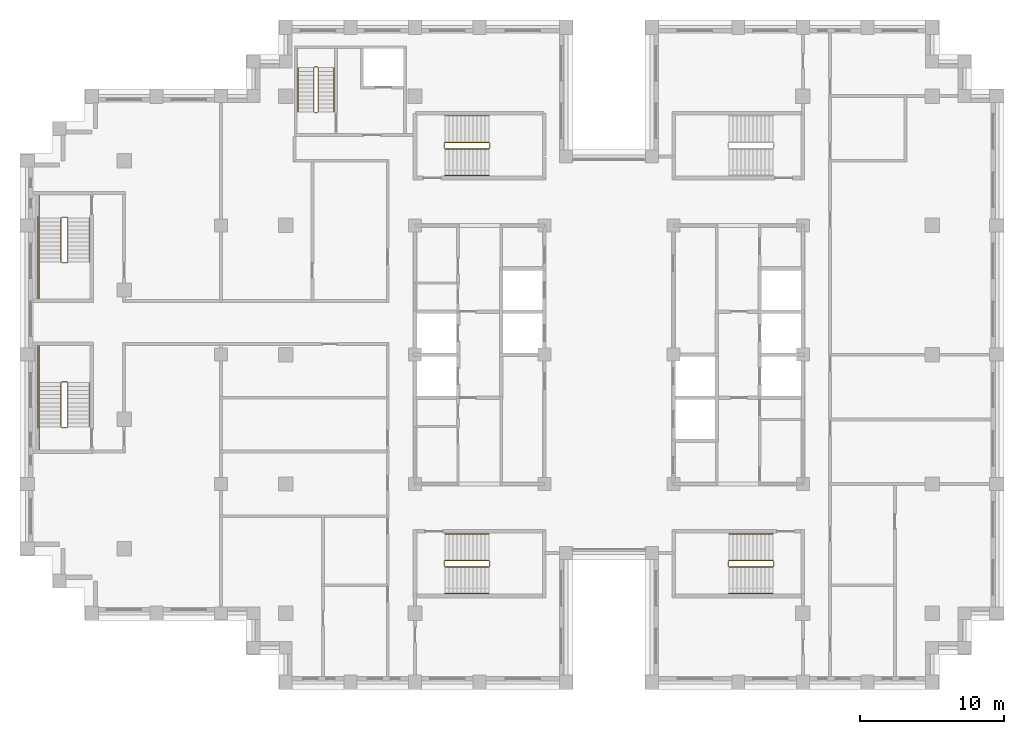
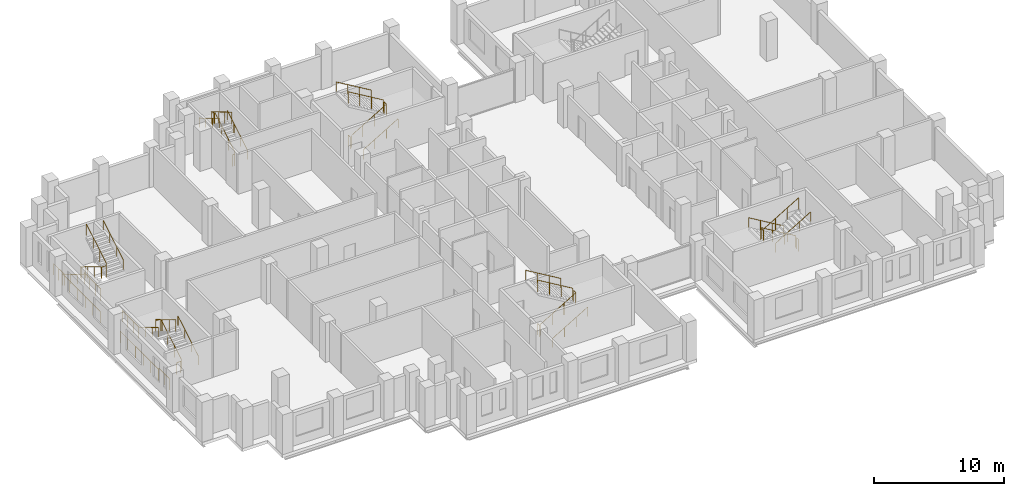
# One storey, part 14 of 15: 6 railings.
"""IFC4 building model written with IfcOpenShell, lengths in metres."""

from ifc_helpers import new_model, si_unit, direction, frame, origin, origin_2d, place, context, subcontext, project, spatial, circle, extrude, material, type_object, element, save


model = new_model("IFC4")

# Units and contexts
model_context = context("Model", 3, precision=1e-05, world=origin(), true_north=direction((0.0, 1.0)))
body_context = subcontext(model_context, "Body", "Model", "MODEL_VIEW")
ifc_project = project(units=[si_unit("LENGTHUNIT", "METRE"), si_unit("AREAUNIT", "SQUARE_METRE"), si_unit("VOLUMEUNIT", "CUBIC_METRE"), si_unit("PLANEANGLEUNIT", "RADIAN"), si_unit("MASSUNIT", "GRAM", prefix="KILO")], contexts=[model_context])

# Site, building, storey
site_placement = place(None, origin())
site = spatial("IfcSite", under=ifc_project, at=site_placement, CompositionType="ELEMENT")
building_placement = place(site_placement, origin())
building = spatial("IfcBuilding", under=site, at=building_placement, Name="Corbelhall Arena Tower", CompositionType="ELEMENT")
storey_placement = place(building_placement, frame((0.0, 0.0, 212.0)))
storey = spatial("IfcBuildingStorey", under=building, at=storey_placement, Name="L44", CompositionType="ELEMENT", Elevation=212.0)

# Railings
ifc_material = material(Name="Steel ASTM A500 Gr C", Category="steel")
railing_type = type_object("IfcRailingType", Name="IN-GD-1100", PredefinedType="GUARDRAIL", material=ifc_material)
railing_1_placement = place(storey_placement, frame((-11.425048828125, 14.324951171875, 0.166748046875)))
element("IfcRailing", 1, at=railing_1_placement, inside=storey, type_object=railing_type, Name="L44 ST1 stair guards and handrails", PredefinedType="GUARDRAIL", context=body_context, shape_type="SweptSolid", body=[
    extrude(circle(Radius=0.02392578125, at=origin_2d()), frame((0.0, 0.0, 1.076171875), z_axis=(0.859308565015, 0.0, 0.511457515432), x_axis=(0.0, 1.0, 0.0)), (0.0, 0.0, 1.0), 3.58447265625),
    extrude(circle(Radius=0.02392578125, at=origin_2d()), frame((3.130126953125, 0.050048828125, 2.9091796875), z_axis=(0.0, 1.0, 0.0), x_axis=(-1.0, 0.0, 0.0)), (0.0, 0.0, 1.0), 0.35009765625),
    extrude(circle(Radius=0.02392578125, at=origin_2d()), frame((3.080078125, 0.449951171875, 3.076171875), z_axis=(-0.859308565015, 0.0, 0.511457515432), x_axis=(0.0, -1.0, 0.0)), (0.0, 0.0, 1.0), 3.58447265625),
    extrude(circle(Radius=0.02392578125, at=origin_2d()), frame((-0.050048828125, 0.050048828125, 0.9091796875), z_axis=(0.0, 1.0, 0.0), x_axis=(-1.0, 0.0, 0.0)), (0.0, 0.0, 1.0), 0.35009765625),
    extrude(circle(Radius=0.02392578125, at=origin_2d()), frame((0.0, -1.849853515625, 0.8759765625), z_axis=(0.859308565015, 0.0, 0.511457515432), x_axis=(0.0, 1.0, 0.0)), (0.0, 0.0, 1.0), 3.58447265625),
    extrude(circle(Radius=0.02392578125, at=origin_2d()), frame((3.080078125, 2.300048828125, 2.8759765625), z_axis=(-0.859308565015, 0.0, 0.511457515432), x_axis=(0.0, -1.0, 0.0)), (0.0, 0.0, 1.0), 3.58447265625),
    extrude(circle(Radius=0.02099609375, at=origin_2d()), origin(), (0.0, 0.0, 1.0), 1.052001953125),
    extrude(circle(Radius=0.02099609375, at=origin_2d()), frame((1.026611328125, 0.0, 0.611083984375)), (0.0, 0.0, 1.0), 1.052001953125),
    extrude(circle(Radius=0.02099609375, at=origin_2d()), frame((2.053466796875, 0.0, 1.22216796875)), (0.0, 0.0, 1.0), 1.052001953125),
    extrude(circle(Radius=0.02099609375, at=origin_2d()), frame((3.080078125, 0.0, 1.833251953125)), (0.0, 0.0, 1.0), 1.052001953125),
    extrude(circle(Radius=0.02099609375, at=origin_2d()), frame((3.130126953125, 0.050048828125, 1.833251953125)), (0.0, 0.0, 1.0), 1.052001953125),
    extrude(circle(Radius=0.02099609375, at=origin_2d()), frame((3.130126953125, 0.400146484375, 1.833251953125)), (0.0, 0.0, 1.0), 1.052001953125),
    extrude(circle(Radius=0.02099609375, at=origin_2d()), frame((3.080078125, 0.449951171875, 2.0)), (0.0, 0.0, 1.0), 1.052001953125),
    extrude(circle(Radius=0.02099609375, at=origin_2d()), frame((2.053466796875, 0.449951171875, 2.611083984375)), (0.0, 0.0, 1.0), 1.052001953125),
    extrude(circle(Radius=0.02099609375, at=origin_2d()), frame((1.026611328125, 0.449951171875, 3.22216796875)), (0.0, 0.0, 1.0), 1.052001953125),
    extrude(circle(Radius=0.02099609375, at=origin_2d()), frame((0.0, 0.449951171875, 3.833251953125)), (0.0, 0.0, 1.0), 1.052001953125),
    extrude(circle(Radius=0.02099609375, at=origin_2d()), frame((-0.050048828125, 0.050048828125, -0.166748046875)), (0.0, 0.0, 1.0), 1.052001953125),
    extrude(circle(Radius=0.02099609375, at=origin_2d()), frame((-0.050048828125, 0.400146484375, -0.166748046875)), (0.0, 0.0, 1.0), 1.052001953125),
    extrude(circle(Radius=0.02099609375, at=origin_2d()), frame((0.0, -1.849853515625, 0.0)), (0.0, 0.0, 1.0), 0.851806640625),
    extrude(circle(Radius=0.02099609375, at=origin_2d()), frame((1.026611328125, -1.849853515625, 0.611083984375)), (0.0, 0.0, 1.0), 0.851806640625),
    extrude(circle(Radius=0.02099609375, at=origin_2d()), frame((2.053466796875, -1.849853515625, 1.22216796875)), (0.0, 0.0, 1.0), 0.851806640625),
    extrude(circle(Radius=0.02099609375, at=origin_2d()), frame((3.080078125, -1.849853515625, 1.833251953125)), (0.0, 0.0, 1.0), 0.851806640625),
    extrude(circle(Radius=0.02099609375, at=origin_2d()), frame((3.080078125, 2.300048828125, 2.0)), (0.0, 0.0, 1.0), 0.851806640625),
    extrude(circle(Radius=0.02099609375, at=origin_2d()), frame((2.053466796875, 2.300048828125, 2.611083984375)), (0.0, 0.0, 1.0), 0.851806640625),
    extrude(circle(Radius=0.02099609375, at=origin_2d()), frame((1.026611328125, 2.300048828125, 3.22216796875)), (0.0, 0.0, 1.0), 0.851806640625),
    extrude(circle(Radius=0.02099609375, at=origin_2d()), frame((0.0, 2.300048828125, 3.833251953125)), (0.0, 0.0, 1.0), 0.851806640625),
])
railing_2_placement = place(storey_placement, frame((-11.425048828125, -14.77490234375, 0.166748046875)))
element("IfcRailing", 2, at=railing_2_placement, inside=storey, type_object=railing_type, Name="L44 ST2 stair guards and handrails", PredefinedType="GUARDRAIL", context=body_context, shape_type="SweptSolid", body=[
    extrude(circle(Radius=0.02392578125, at=origin_2d()), frame((0.0, 0.0, 1.076171875), z_axis=(0.859308565015, 0.0, 0.511457515432), x_axis=(0.0, 1.0, 0.0)), (0.0, 0.0, 1.0), 3.58447265625),
    extrude(circle(Radius=0.02392578125, at=origin_2d()), frame((3.130126953125, 0.0498046875, 2.9091796875), z_axis=(0.0, 1.0, 0.0), x_axis=(-1.0, 0.0, 0.0)), (0.0, 0.0, 1.0), 0.35009765625),
    extrude(circle(Radius=0.02392578125, at=origin_2d()), frame((3.080078125, 0.449951171875, 3.076171875), z_axis=(-0.859308565015, 0.0, 0.511457515432), x_axis=(0.0, -1.0, 0.0)), (0.0, 0.0, 1.0), 3.58447265625),
    extrude(circle(Radius=0.02392578125, at=origin_2d()), frame((-0.050048828125, 0.0498046875, 0.9091796875), z_axis=(0.0, 1.0, 0.0), x_axis=(-1.0, 0.0, 0.0)), (0.0, 0.0, 1.0), 0.35009765625),
    extrude(circle(Radius=0.02392578125, at=origin_2d()), frame((0.0, -1.85009765625, 0.8759765625), z_axis=(0.859308565015, 0.0, 0.511457515432), x_axis=(0.0, 1.0, 0.0)), (0.0, 0.0, 1.0), 3.58447265625),
    extrude(circle(Radius=0.02392578125, at=origin_2d()), frame((3.080078125, 2.2998046875, 2.8759765625), z_axis=(-0.859308565015, 0.0, 0.511457515432), x_axis=(0.0, -1.0, 0.0)), (0.0, 0.0, 1.0), 3.58447265625),
    extrude(circle(Radius=0.02099609375, at=origin_2d()), origin(), (0.0, 0.0, 1.0), 1.052001953125),
    extrude(circle(Radius=0.02099609375, at=origin_2d()), frame((1.026611328125, 0.0, 0.611083984375)), (0.0, 0.0, 1.0), 1.052001953125),
    extrude(circle(Radius=0.02099609375, at=origin_2d()), frame((2.053466796875, 0.0, 1.22216796875)), (0.0, 0.0, 1.0), 1.052001953125),
    extrude(circle(Radius=0.02099609375, at=origin_2d()), frame((3.080078125, 0.0, 1.833251953125)), (0.0, 0.0, 1.0), 1.052001953125),
    extrude(circle(Radius=0.02099609375, at=origin_2d()), frame((3.130126953125, 0.0498046875, 1.833251953125)), (0.0, 0.0, 1.0), 1.052001953125),
    extrude(circle(Radius=0.02099609375, at=origin_2d()), frame((3.130126953125, 0.39990234375, 1.833251953125)), (0.0, 0.0, 1.0), 1.052001953125),
    extrude(circle(Radius=0.02099609375, at=origin_2d()), frame((3.080078125, 0.449951171875, 2.0)), (0.0, 0.0, 1.0), 1.052001953125),
    extrude(circle(Radius=0.02099609375, at=origin_2d()), frame((2.053466796875, 0.449951171875, 2.611083984375)), (0.0, 0.0, 1.0), 1.052001953125),
    extrude(circle(Radius=0.02099609375, at=origin_2d()), frame((1.026611328125, 0.449951171875, 3.22216796875)), (0.0, 0.0, 1.0), 1.052001953125),
    extrude(circle(Radius=0.02099609375, at=origin_2d()), frame((0.0, 0.449951171875, 3.833251953125)), (0.0, 0.0, 1.0), 1.052001953125),
    extrude(circle(Radius=0.02099609375, at=origin_2d()), frame((-0.050048828125, 0.0498046875, -0.166748046875)), (0.0, 0.0, 1.0), 1.052001953125),
    extrude(circle(Radius=0.02099609375, at=origin_2d()), frame((-0.050048828125, 0.39990234375, -0.166748046875)), (0.0, 0.0, 1.0), 1.052001953125),
    extrude(circle(Radius=0.02099609375, at=origin_2d()), frame((0.0, -1.85009765625, 0.0)), (0.0, 0.0, 1.0), 0.851806640625),
    extrude(circle(Radius=0.02099609375, at=origin_2d()), frame((1.026611328125, -1.85009765625, 0.611083984375)), (0.0, 0.0, 1.0), 0.851806640625),
    extrude(circle(Radius=0.02099609375, at=origin_2d()), frame((2.053466796875, -1.85009765625, 1.22216796875)), (0.0, 0.0, 1.0), 0.851806640625),
    extrude(circle(Radius=0.02099609375, at=origin_2d()), frame((3.080078125, -1.85009765625, 1.833251953125)), (0.0, 0.0, 1.0), 0.851806640625),
    extrude(circle(Radius=0.02099609375, at=origin_2d()), frame((3.080078125, 2.2998046875, 2.0)), (0.0, 0.0, 1.0), 0.851806640625),
    extrude(circle(Radius=0.02099609375, at=origin_2d()), frame((2.053466796875, 2.2998046875, 2.611083984375)), (0.0, 0.0, 1.0), 0.851806640625),
    extrude(circle(Radius=0.02099609375, at=origin_2d()), frame((1.026611328125, 2.2998046875, 3.22216796875)), (0.0, 0.0, 1.0), 0.851806640625),
    extrude(circle(Radius=0.02099609375, at=origin_2d()), frame((0.0, 2.2998046875, 3.833251953125)), (0.0, 0.0, 1.0), 0.851806640625),
])
railing_3_placement = place(storey_placement, frame((11.425048828125, -14.324951171875, 0.166748046875)))
element("IfcRailing", 3, at=railing_3_placement, inside=storey, type_object=railing_type, Name="L44 ST4 stair guards and handrails", PredefinedType="GUARDRAIL", context=body_context, shape_type="SweptSolid", body=[
    extrude(circle(Radius=0.02392578125, at=origin_2d()), frame((0.0, 0.0, 1.076171875), z_axis=(-0.859308565015, 0.0, 0.511457515432), x_axis=(0.0, -1.0, 0.0)), (0.0, 0.0, 1.0), 3.58447265625),
    extrude(circle(Radius=0.02392578125, at=origin_2d()), frame((-3.130126953125, -0.050048828125, 2.9091796875), z_axis=(0.0, -1.0, 0.0), x_axis=(1.0, 0.0, 0.0)), (0.0, 0.0, 1.0), 0.35009765625),
    extrude(circle(Radius=0.02392578125, at=origin_2d()), frame((-3.080078125, -0.449951171875, 3.076171875), z_axis=(0.859308565015, 0.0, 0.511457515432), x_axis=(0.0, 1.0, 0.0)), (0.0, 0.0, 1.0), 3.58447265625),
    extrude(circle(Radius=0.02392578125, at=origin_2d()), frame((0.050048828125, -0.050048828125, 0.9091796875), z_axis=(0.0, -1.0, 0.0), x_axis=(1.0, 0.0, 0.0)), (0.0, 0.0, 1.0), 0.35009765625),
    extrude(circle(Radius=0.02392578125, at=origin_2d()), frame((0.0, 1.849853515625, 0.8759765625), z_axis=(-0.859308565015, 0.0, 0.511457515432), x_axis=(0.0, -1.0, 0.0)), (0.0, 0.0, 1.0), 3.58447265625),
    extrude(circle(Radius=0.02392578125, at=origin_2d()), frame((-3.080078125, -2.300048828125, 2.8759765625), z_axis=(0.859308565015, 0.0, 0.511457515432), x_axis=(0.0, 1.0, 0.0)), (0.0, 0.0, 1.0), 3.58447265625),
    extrude(circle(Radius=0.02099609375, at=origin_2d()), origin(), (0.0, 0.0, 1.0), 1.052001953125),
    extrude(circle(Radius=0.02099609375, at=origin_2d()), frame((-1.026611328125, 0.0, 0.611083984375)), (0.0, 0.0, 1.0), 1.052001953125),
    extrude(circle(Radius=0.02099609375, at=origin_2d()), frame((-2.053466796875, 0.0, 1.22216796875)), (0.0, 0.0, 1.0), 1.052001953125),
    extrude(circle(Radius=0.02099609375, at=origin_2d()), frame((-3.080078125, 0.0, 1.833251953125)), (0.0, 0.0, 1.0), 1.052001953125),
    extrude(circle(Radius=0.02099609375, at=origin_2d()), frame((-3.130126953125, -0.050048828125, 1.833251953125)), (0.0, 0.0, 1.0), 1.052001953125),
    extrude(circle(Radius=0.02099609375, at=origin_2d()), frame((-3.130126953125, -0.400146484375, 1.833251953125)), (0.0, 0.0, 1.0), 1.052001953125),
    extrude(circle(Radius=0.02099609375, at=origin_2d()), frame((-3.080078125, -0.449951171875, 2.0)), (0.0, 0.0, 1.0), 1.052001953125),
    extrude(circle(Radius=0.02099609375, at=origin_2d()), frame((-2.053466796875, -0.449951171875, 2.611083984375)), (0.0, 0.0, 1.0), 1.052001953125),
    extrude(circle(Radius=0.02099609375, at=origin_2d()), frame((-1.026611328125, -0.449951171875, 3.22216796875)), (0.0, 0.0, 1.0), 1.052001953125),
    extrude(circle(Radius=0.02099609375, at=origin_2d()), frame((0.0, -0.449951171875, 3.833251953125)), (0.0, 0.0, 1.0), 1.052001953125),
    extrude(circle(Radius=0.02099609375, at=origin_2d()), frame((0.050048828125, -0.050048828125, -0.166748046875)), (0.0, 0.0, 1.0), 1.052001953125),
    extrude(circle(Radius=0.02099609375, at=origin_2d()), frame((0.050048828125, -0.400146484375, -0.166748046875)), (0.0, 0.0, 1.0), 1.052001953125),
    extrude(circle(Radius=0.02099609375, at=origin_2d()), frame((0.0, 1.849853515625, 0.0)), (0.0, 0.0, 1.0), 0.851806640625),
    extrude(circle(Radius=0.02099609375, at=origin_2d()), frame((-1.026611328125, 1.849853515625, 0.611083984375)), (0.0, 0.0, 1.0), 0.851806640625),
    extrude(circle(Radius=0.02099609375, at=origin_2d()), frame((-2.053466796875, 1.849853515625, 1.22216796875)), (0.0, 0.0, 1.0), 0.851806640625),
    extrude(circle(Radius=0.02099609375, at=origin_2d()), frame((-3.080078125, 1.849853515625, 1.833251953125)), (0.0, 0.0, 1.0), 0.851806640625),
    extrude(circle(Radius=0.02099609375, at=origin_2d()), frame((-3.080078125, -2.300048828125, 2.0)), (0.0, 0.0, 1.0), 0.851806640625),
    extrude(circle(Radius=0.02099609375, at=origin_2d()), frame((-2.053466796875, -2.300048828125, 2.611083984375)), (0.0, 0.0, 1.0), 0.851806640625),
    extrude(circle(Radius=0.02099609375, at=origin_2d()), frame((-1.026611328125, -2.300048828125, 3.22216796875)), (0.0, 0.0, 1.0), 0.851806640625),
    extrude(circle(Radius=0.02099609375, at=origin_2d()), frame((0.0, -2.300048828125, 3.833251953125)), (0.0, 0.0, 1.0), 0.851806640625),
])
railing_4_placement = place(storey_placement, frame((-38.14990234375, 9.52490234375, 0.166748046875)))
element("IfcRailing", 4, at=railing_4_placement, inside=storey, type_object=railing_type, Name="L44 SC1 stair guards and handrails", PredefinedType="GUARDRAIL", context=body_context, shape_type="SweptSolid", body=[
    extrude(circle(Radius=0.02392578125, at=origin_2d()), frame((0.0, 0.0, 1.076171875), z_axis=(0.0, -0.859290745958, 0.51148745235), x_axis=(1.0, 0.0, 0.0)), (0.0, 0.0, 1.0), 3.584228515625),
    extrude(circle(Radius=0.02392578125, at=origin_2d()), frame((0.0498046875, -3.1298828125, 2.9091796875), z_axis=(1.0, 0.0, 0.0), x_axis=(0.0, 1.0, 0.0)), (0.0, 0.0, 1.0), 0.375),
    extrude(circle(Radius=0.02392578125, at=origin_2d()), frame((-1.5, -3.079833984375, 2.9091796875), z_axis=(0.0, -1.0, 0.0), x_axis=(1.0, 0.0, 0.0)), (0.0, 0.0, 1.0), 2.570068359375),
    extrude(circle(Radius=0.02392578125, at=origin_2d()), frame((0.474853515625, -3.079833984375, 3.076171875), z_axis=(0.0, 0.859290745958, 0.51148745235), x_axis=(-1.0, 0.0, 0.0)), (0.0, 0.0, 1.0), 3.584228515625),
    extrude(circle(Radius=0.02392578125, at=origin_2d()), frame((0.0498046875, 0.050048828125, 0.9091796875), z_axis=(1.0, 0.0, 0.0), x_axis=(0.0, 1.0, 0.0)), (0.0, 0.0, 1.0), 0.375),
    extrude(circle(Radius=0.02392578125, at=origin_2d()), frame((-1.5, 1.60009765625, 0.9091796875), z_axis=(0.0, -1.0, 0.0), x_axis=(1.0, 0.0, 0.0)), (0.0, 0.0, 1.0), 1.60009765625),
    extrude(circle(Radius=0.02392578125, at=origin_2d()), frame((-1.60009765625, 0.10009765625, 0.9091796875), z_axis=(0.0, -1.0, 0.0), x_axis=(1.0, 0.0, 0.0)), (0.0, 0.0, 1.0), 5.85009765625),
    extrude(circle(Radius=0.02392578125, at=origin_2d()), frame((-1.5, 0.0, 0.8759765625), z_axis=(0.0, -0.859290745958, 0.51148745235), x_axis=(1.0, 0.0, 0.0)), (0.0, 0.0, 1.0), 3.584228515625),
    extrude(circle(Radius=0.02392578125, at=origin_2d()), frame((1.974853515625, -3.079833984375, 2.8759765625), z_axis=(0.0, 0.859290745958, 0.51148745235), x_axis=(-1.0, 0.0, 0.0)), (0.0, 0.0, 1.0), 3.584228515625),
    extrude(circle(Radius=0.02099609375, at=origin_2d()), origin(), (0.0, 0.0, 1.0), 1.052001953125),
    extrude(circle(Radius=0.02099609375, at=origin_2d()), frame((0.0, -1.026611328125, 0.611083984375)), (0.0, 0.0, 1.0), 1.052001953125),
    extrude(circle(Radius=0.02099609375, at=origin_2d()), frame((0.0, -2.05322265625, 1.22216796875)), (0.0, 0.0, 1.0), 1.052001953125),
    extrude(circle(Radius=0.02099609375, at=origin_2d()), frame((0.0, -3.079833984375, 1.833251953125)), (0.0, 0.0, 1.0), 1.052001953125),
    extrude(circle(Radius=0.02099609375, at=origin_2d()), frame((0.0498046875, -3.1298828125, 1.833251953125)), (0.0, 0.0, 1.0), 1.052001953125),
    extrude(circle(Radius=0.02099609375, at=origin_2d()), frame((0.4248046875, -3.1298828125, 1.833251953125)), (0.0, 0.0, 1.0), 1.052001953125),
    extrude(circle(Radius=0.02099609375, at=origin_2d()), frame((-1.5, -3.079833984375, 1.833251953125)), (0.0, 0.0, 1.0), 1.052001953125),
    extrude(circle(Radius=0.02099609375, at=origin_2d()), frame((-1.5, -3.9365234375, 1.833251953125)), (0.0, 0.0, 1.0), 1.052001953125),
    extrude(circle(Radius=0.02099609375, at=origin_2d()), frame((-1.5, -4.793212890625, 1.833251953125)), (0.0, 0.0, 1.0), 1.052001953125),
    extrude(circle(Radius=0.02099609375, at=origin_2d()), frame((-1.5, -5.64990234375, 1.833251953125)), (0.0, 0.0, 1.0), 1.052001953125),
    extrude(circle(Radius=0.02099609375, at=origin_2d()), frame((0.474853515625, -3.079833984375, 2.0)), (0.0, 0.0, 1.0), 1.052001953125),
    extrude(circle(Radius=0.02099609375, at=origin_2d()), frame((0.474853515625, -2.05322265625, 2.611083984375)), (0.0, 0.0, 1.0), 1.052001953125),
    extrude(circle(Radius=0.02099609375, at=origin_2d()), frame((0.474853515625, -1.026611328125, 3.22216796875)), (0.0, 0.0, 1.0), 1.052001953125),
    extrude(circle(Radius=0.02099609375, at=origin_2d()), frame((0.474853515625, 0.0, 3.833251953125)), (0.0, 0.0, 1.0), 1.052001953125),
    extrude(circle(Radius=0.02099609375, at=origin_2d()), frame((0.0498046875, 0.050048828125, -0.166748046875)), (0.0, 0.0, 1.0), 1.052001953125),
    extrude(circle(Radius=0.02099609375, at=origin_2d()), frame((0.4248046875, 0.050048828125, -0.166748046875)), (0.0, 0.0, 1.0), 1.052001953125),
    extrude(circle(Radius=0.02099609375, at=origin_2d()), frame((-1.5, 1.60009765625, -0.166748046875)), (0.0, 0.0, 1.0), 1.052001953125),
    extrude(circle(Radius=0.02099609375, at=origin_2d()), frame((-1.5, 0.800048828125, -0.166748046875)), (0.0, 0.0, 1.0), 1.052001953125),
    extrude(circle(Radius=0.02099609375, at=origin_2d()), frame((-1.5, 0.0, -0.166748046875)), (0.0, 0.0, 1.0), 1.052001953125),
    extrude(circle(Radius=0.02099609375, at=origin_2d()), frame((-1.60009765625, 0.10009765625, -0.166748046875)), (0.0, 0.0, 1.0), 1.052001953125),
    extrude(circle(Radius=0.02099609375, at=origin_2d()), frame((-1.60009765625, -1.06982421875, -0.166748046875)), (0.0, 0.0, 1.0), 1.052001953125),
    extrude(circle(Radius=0.02099609375, at=origin_2d()), frame((-1.60009765625, -2.239990234375, -0.166748046875)), (0.0, 0.0, 1.0), 1.052001953125),
    extrude(circle(Radius=0.02099609375, at=origin_2d()), frame((-1.60009765625, -3.409912109375, -0.166748046875)), (0.0, 0.0, 1.0), 1.052001953125),
    extrude(circle(Radius=0.02099609375, at=origin_2d()), frame((-1.60009765625, -4.580078125, -0.166748046875)), (0.0, 0.0, 1.0), 1.052001953125),
    extrude(circle(Radius=0.02099609375, at=origin_2d()), frame((-1.60009765625, -5.75, -0.166748046875)), (0.0, 0.0, 1.0), 1.052001953125),
    extrude(circle(Radius=0.02099609375, at=origin_2d()), frame((-1.5, 0.0, 0.0)), (0.0, 0.0, 1.0), 0.851806640625),
    extrude(circle(Radius=0.02099609375, at=origin_2d()), frame((-1.5, -1.026611328125, 0.611083984375)), (0.0, 0.0, 1.0), 0.851806640625),
    extrude(circle(Radius=0.02099609375, at=origin_2d()), frame((-1.5, -2.05322265625, 1.22216796875)), (0.0, 0.0, 1.0), 0.851806640625),
    extrude(circle(Radius=0.02099609375, at=origin_2d()), frame((1.974853515625, -3.079833984375, 2.0)), (0.0, 0.0, 1.0), 0.851806640625),
    extrude(circle(Radius=0.02099609375, at=origin_2d()), frame((1.974853515625, -2.05322265625, 2.611083984375)), (0.0, 0.0, 1.0), 0.851806640625),
    extrude(circle(Radius=0.02099609375, at=origin_2d()), frame((1.974853515625, -1.026611328125, 3.22216796875)), (0.0, 0.0, 1.0), 0.851806640625),
    extrude(circle(Radius=0.02099609375, at=origin_2d()), frame((1.974853515625, 0.0, 3.833251953125)), (0.0, 0.0, 1.0), 0.851806640625),
])
railing_5_placement = place(storey_placement, frame((-37.675048828125, -5.02490234375, 0.166748046875)))
element("IfcRailing", 5, at=railing_5_placement, inside=storey, type_object=railing_type, Name="L44 SC2 stair guards and handrails", PredefinedType="GUARDRAIL", context=body_context, shape_type="SweptSolid", body=[
    extrude(circle(Radius=0.02392578125, at=origin_2d()), frame((0.0, 0.0, 1.076171875), z_axis=(0.0, 0.859290745958, 0.51148745235), x_axis=(-1.0, 0.0, 0.0)), (0.0, 0.0, 1.0), 3.584228515625),
    extrude(circle(Radius=0.02392578125, at=origin_2d()), frame((-0.050048828125, 3.1298828125, 2.9091796875), z_axis=(-1.0, 0.0, 0.0), x_axis=(0.0, -1.0, 0.0)), (0.0, 0.0, 1.0), 0.375),
    extrude(circle(Radius=0.02392578125, at=origin_2d()), frame((-1.974853515625, 3.079833984375, 2.9091796875), z_axis=(0.0, 1.0, 0.0), x_axis=(-1.0, 0.0, 0.0)), (0.0, 0.0, 1.0), 2.570068359375),
    extrude(circle(Radius=0.02392578125, at=origin_2d()), frame((-0.474853515625, 3.079833984375, 3.076171875), z_axis=(0.0, -0.859290745958, 0.51148745235), x_axis=(1.0, 0.0, 0.0)), (0.0, 0.0, 1.0), 3.584228515625),
    extrude(circle(Radius=0.02392578125, at=origin_2d()), frame((-0.050048828125, -0.050048828125, 0.9091796875), z_axis=(-1.0, 0.0, 0.0), x_axis=(0.0, -1.0, 0.0)), (0.0, 0.0, 1.0), 0.375),
    extrude(circle(Radius=0.02392578125, at=origin_2d()), frame((-1.974853515625, -1.60009765625, 0.9091796875), z_axis=(0.0, 1.0, 0.0), x_axis=(-1.0, 0.0, 0.0)), (0.0, 0.0, 1.0), 1.60009765625),
    extrude(circle(Radius=0.02392578125, at=origin_2d()), frame((-2.074951171875, -0.10009765625, 0.9091796875), z_axis=(0.0, 1.0, 0.0), x_axis=(-1.0, 0.0, 0.0)), (0.0, 0.0, 1.0), 5.85009765625),
    extrude(circle(Radius=0.02392578125, at=origin_2d()), frame((1.5, 0.0, 0.8759765625), z_axis=(0.0, 0.859290745958, 0.51148745235), x_axis=(-1.0, 0.0, 0.0)), (0.0, 0.0, 1.0), 3.584228515625),
    extrude(circle(Radius=0.02392578125, at=origin_2d()), frame((-1.974853515625, 3.079833984375, 2.8759765625), z_axis=(0.0, -0.859290745958, 0.51148745235), x_axis=(1.0, 0.0, 0.0)), (0.0, 0.0, 1.0), 3.584228515625),
    extrude(circle(Radius=0.02099609375, at=origin_2d()), origin(), (0.0, 0.0, 1.0), 1.052001953125),
    extrude(circle(Radius=0.02099609375, at=origin_2d()), frame((0.0, 1.026611328125, 0.611083984375)), (0.0, 0.0, 1.0), 1.052001953125),
    extrude(circle(Radius=0.02099609375, at=origin_2d()), frame((0.0, 2.05322265625, 1.22216796875)), (0.0, 0.0, 1.0), 1.052001953125),
    extrude(circle(Radius=0.02099609375, at=origin_2d()), frame((0.0, 3.079833984375, 1.833251953125)), (0.0, 0.0, 1.0), 1.052001953125),
    extrude(circle(Radius=0.02099609375, at=origin_2d()), frame((-0.050048828125, 3.1298828125, 1.833251953125)), (0.0, 0.0, 1.0), 1.052001953125),
    extrude(circle(Radius=0.02099609375, at=origin_2d()), frame((-0.425048828125, 3.1298828125, 1.833251953125)), (0.0, 0.0, 1.0), 1.052001953125),
    extrude(circle(Radius=0.02099609375, at=origin_2d()), frame((-1.974853515625, 3.079833984375, 1.833251953125)), (0.0, 0.0, 1.0), 1.052001953125),
    extrude(circle(Radius=0.02099609375, at=origin_2d()), frame((-1.974853515625, 3.9365234375, 1.833251953125)), (0.0, 0.0, 1.0), 1.052001953125),
    extrude(circle(Radius=0.02099609375, at=origin_2d()), frame((-1.974853515625, 4.793212890625, 1.833251953125)), (0.0, 0.0, 1.0), 1.052001953125),
    extrude(circle(Radius=0.02099609375, at=origin_2d()), frame((-1.974853515625, 5.64990234375, 1.833251953125)), (0.0, 0.0, 1.0), 1.052001953125),
    extrude(circle(Radius=0.02099609375, at=origin_2d()), frame((-0.474853515625, 3.079833984375, 2.0)), (0.0, 0.0, 1.0), 1.052001953125),
    extrude(circle(Radius=0.02099609375, at=origin_2d()), frame((-0.474853515625, 2.05322265625, 2.611083984375)), (0.0, 0.0, 1.0), 1.052001953125),
    extrude(circle(Radius=0.02099609375, at=origin_2d()), frame((-0.474853515625, 1.026611328125, 3.22216796875)), (0.0, 0.0, 1.0), 1.052001953125),
    extrude(circle(Radius=0.02099609375, at=origin_2d()), frame((-0.474853515625, 0.0, 3.833251953125)), (0.0, 0.0, 1.0), 1.052001953125),
    extrude(circle(Radius=0.02099609375, at=origin_2d()), frame((-0.050048828125, -0.050048828125, -0.166748046875)), (0.0, 0.0, 1.0), 1.052001953125),
    extrude(circle(Radius=0.02099609375, at=origin_2d()), frame((-0.425048828125, -0.050048828125, -0.166748046875)), (0.0, 0.0, 1.0), 1.052001953125),
    extrude(circle(Radius=0.02099609375, at=origin_2d()), frame((-1.974853515625, -1.60009765625, -0.166748046875)), (0.0, 0.0, 1.0), 1.052001953125),
    extrude(circle(Radius=0.02099609375, at=origin_2d()), frame((-1.974853515625, -0.800048828125, -0.166748046875)), (0.0, 0.0, 1.0), 1.052001953125),
    extrude(circle(Radius=0.02099609375, at=origin_2d()), frame((-1.974853515625, 0.0, -0.166748046875)), (0.0, 0.0, 1.0), 1.052001953125),
    extrude(circle(Radius=0.02099609375, at=origin_2d()), frame((-2.074951171875, -0.10009765625, -0.166748046875)), (0.0, 0.0, 1.0), 1.052001953125),
    extrude(circle(Radius=0.02099609375, at=origin_2d()), frame((-2.074951171875, 1.06982421875, -0.166748046875)), (0.0, 0.0, 1.0), 1.052001953125),
    extrude(circle(Radius=0.02099609375, at=origin_2d()), frame((-2.074951171875, 2.239990234375, -0.166748046875)), (0.0, 0.0, 1.0), 1.052001953125),
    extrude(circle(Radius=0.02099609375, at=origin_2d()), frame((-2.074951171875, 3.409912109375, -0.166748046875)), (0.0, 0.0, 1.0), 1.052001953125),
    extrude(circle(Radius=0.02099609375, at=origin_2d()), frame((-2.074951171875, 4.580078125, -0.166748046875)), (0.0, 0.0, 1.0), 1.052001953125),
    extrude(circle(Radius=0.02099609375, at=origin_2d()), frame((-2.074951171875, 5.75, -0.166748046875)), (0.0, 0.0, 1.0), 1.052001953125),
    extrude(circle(Radius=0.02099609375, at=origin_2d()), frame((1.5, 0.0, 0.0)), (0.0, 0.0, 1.0), 0.851806640625),
    extrude(circle(Radius=0.02099609375, at=origin_2d()), frame((1.5, 1.026611328125, 0.611083984375)), (0.0, 0.0, 1.0), 0.851806640625),
    extrude(circle(Radius=0.02099609375, at=origin_2d()), frame((1.5, 2.05322265625, 1.22216796875)), (0.0, 0.0, 1.0), 0.851806640625),
    extrude(circle(Radius=0.02099609375, at=origin_2d()), frame((1.5, 3.079833984375, 1.833251953125)), (0.0, 0.0, 1.0), 0.851806640625),
    extrude(circle(Radius=0.02099609375, at=origin_2d()), frame((-1.974853515625, 3.079833984375, 2.0)), (0.0, 0.0, 1.0), 0.851806640625),
    extrude(circle(Radius=0.02099609375, at=origin_2d()), frame((-1.974853515625, 2.05322265625, 2.611083984375)), (0.0, 0.0, 1.0), 0.851806640625),
    extrude(circle(Radius=0.02099609375, at=origin_2d()), frame((-1.974853515625, 1.026611328125, 3.22216796875)), (0.0, 0.0, 1.0), 0.851806640625),
    extrude(circle(Radius=0.02099609375, at=origin_2d()), frame((-1.974853515625, 0.0, 3.833251953125)), (0.0, 0.0, 1.0), 0.851806640625),
])
railing_6_placement = place(storey_placement, frame((-20.2451171875, 16.89990234375, 0.166748046875)))
element("IfcRailing", 6, at=railing_6_placement, inside=storey, type_object=railing_type, Name="L44 ST5 stair guards and handrails", PredefinedType="GUARDRAIL", context=body_context, shape_type="SweptSolid", body=[
    extrude(circle(Radius=0.02392578125, at=origin_2d()), frame((0.0, 0.0, 1.076171875), z_axis=(0.0, 0.859308565015, 0.511457515432), x_axis=(-1.0, 0.0, 0.0)), (0.0, 0.0, 1.0), 3.58447265625),
    extrude(circle(Radius=0.02392578125, at=origin_2d()), frame((-0.0498046875, 3.130126953125, 2.9091796875), z_axis=(-1.0, 0.0, 0.0), x_axis=(0.0, -1.0, 0.0)), (0.0, 0.0, 1.0), 0.2001953125),
    extrude(circle(Radius=0.02392578125, at=origin_2d()), frame((-0.2998046875, 3.080078125, 3.076171875), z_axis=(0.0, -0.859308565015, 0.511457515432), x_axis=(1.0, 0.0, 0.0)), (0.0, 0.0, 1.0), 3.58447265625),
    extrude(circle(Radius=0.02392578125, at=origin_2d()), frame((-0.0498046875, -0.0498046875, 0.9091796875), z_axis=(-1.0, 0.0, 0.0), x_axis=(0.0, -1.0, 0.0)), (0.0, 0.0, 1.0), 0.2001953125),
    extrude(circle(Radius=0.02392578125, at=origin_2d()), frame((1.10009765625, 0.0, 0.8759765625), z_axis=(0.0, 0.859308565015, 0.511457515432), x_axis=(-1.0, 0.0, 0.0)), (0.0, 0.0, 1.0), 3.58447265625),
    extrude(circle(Radius=0.02392578125, at=origin_2d()), frame((-1.39990234375, 3.080078125, 2.8759765625), z_axis=(0.0, -0.859308565015, 0.511457515432), x_axis=(1.0, 0.0, 0.0)), (0.0, 0.0, 1.0), 3.58447265625),
    extrude(circle(Radius=0.02099609375, at=origin_2d()), origin(), (0.0, 0.0, 1.0), 1.052001953125),
    extrude(circle(Radius=0.02099609375, at=origin_2d()), frame((0.0, 1.026611328125, 0.611083984375)), (0.0, 0.0, 1.0), 1.052001953125),
    extrude(circle(Radius=0.02099609375, at=origin_2d()), frame((0.0, 2.053466796875, 1.22216796875)), (0.0, 0.0, 1.0), 1.052001953125),
    extrude(circle(Radius=0.02099609375, at=origin_2d()), frame((0.0, 3.080078125, 1.833251953125)), (0.0, 0.0, 1.0), 1.052001953125),
    extrude(circle(Radius=0.02099609375, at=origin_2d()), frame((-0.0498046875, 3.130126953125, 1.833251953125)), (0.0, 0.0, 1.0), 1.052001953125),
    extrude(circle(Radius=0.02099609375, at=origin_2d()), frame((-0.25, 3.130126953125, 1.833251953125)), (0.0, 0.0, 1.0), 1.052001953125),
    extrude(circle(Radius=0.02099609375, at=origin_2d()), frame((-0.2998046875, 3.080078125, 2.0)), (0.0, 0.0, 1.0), 1.052001953125),
    extrude(circle(Radius=0.02099609375, at=origin_2d()), frame((-0.2998046875, 2.053466796875, 2.611083984375)), (0.0, 0.0, 1.0), 1.052001953125),
    extrude(circle(Radius=0.02099609375, at=origin_2d()), frame((-0.2998046875, 1.026611328125, 3.22216796875)), (0.0, 0.0, 1.0), 1.052001953125),
    extrude(circle(Radius=0.02099609375, at=origin_2d()), frame((-0.2998046875, 0.0, 3.833251953125)), (0.0, 0.0, 1.0), 1.052001953125),
    extrude(circle(Radius=0.02099609375, at=origin_2d()), frame((-0.0498046875, -0.0498046875, -0.166748046875)), (0.0, 0.0, 1.0), 1.052001953125),
    extrude(circle(Radius=0.02099609375, at=origin_2d()), frame((-0.25, -0.0498046875, -0.166748046875)), (0.0, 0.0, 1.0), 1.052001953125),
    extrude(circle(Radius=0.02099609375, at=origin_2d()), frame((1.10009765625, 0.0, 0.0)), (0.0, 0.0, 1.0), 0.851806640625),
    extrude(circle(Radius=0.02099609375, at=origin_2d()), frame((1.10009765625, 1.026611328125, 0.611083984375)), (0.0, 0.0, 1.0), 0.851806640625),
    extrude(circle(Radius=0.02099609375, at=origin_2d()), frame((1.10009765625, 2.053466796875, 1.22216796875)), (0.0, 0.0, 1.0), 0.851806640625),
    extrude(circle(Radius=0.02099609375, at=origin_2d()), frame((1.10009765625, 3.080078125, 1.833251953125)), (0.0, 0.0, 1.0), 0.851806640625),
    extrude(circle(Radius=0.02099609375, at=origin_2d()), frame((-1.39990234375, 3.080078125, 2.0)), (0.0, 0.0, 1.0), 0.851806640625),
    extrude(circle(Radius=0.02099609375, at=origin_2d()), frame((-1.39990234375, 2.053466796875, 2.611083984375)), (0.0, 0.0, 1.0), 0.851806640625),
    extrude(circle(Radius=0.02099609375, at=origin_2d()), frame((-1.39990234375, 1.026611328125, 3.22216796875)), (0.0, 0.0, 1.0), 0.851806640625),
    extrude(circle(Radius=0.02099609375, at=origin_2d()), frame((-1.39990234375, 0.0, 3.833251953125)), (0.0, 0.0, 1.0), 0.851806640625),
])

save(model, "model.ifc")
